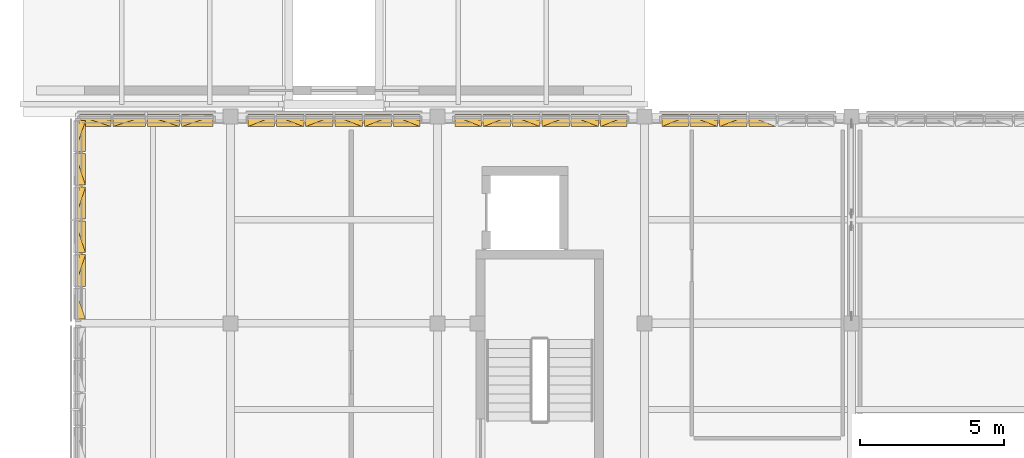
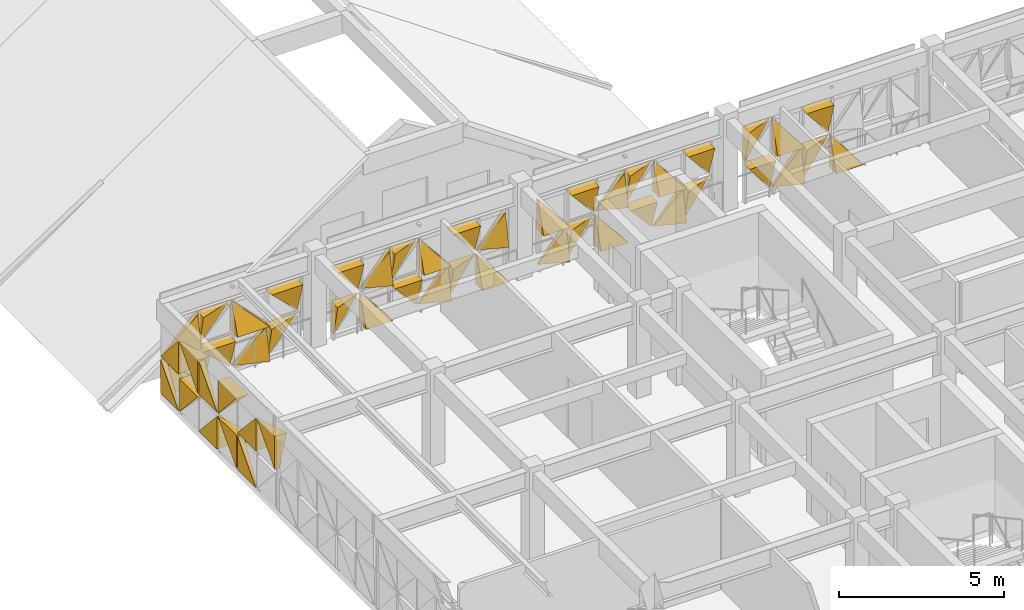
# One storey, part 45 of 48: 50 coverings.
"""IFC4 building model written with IfcOpenShell, lengths in metres."""

from ifc_helpers import new_model, si_unit, direction, frame, origin, place, context, subcontext, project, spatial, polygons, material, layer, layer_set, type_object, element, save


model = new_model("IFC4")

# Units and contexts
model_context = context("Model", 3, precision=1e-05, world=origin(), true_north=direction((0.0, 1.0)))
body_context = subcontext(model_context, "Body", "Model", "MODEL_VIEW")
ifc_project = project(units=[si_unit("LENGTHUNIT", "METRE"), si_unit("AREAUNIT", "SQUARE_METRE"), si_unit("VOLUMEUNIT", "CUBIC_METRE"), si_unit("PLANEANGLEUNIT", "RADIAN"), si_unit("MASSUNIT", "GRAM", prefix="KILO")], contexts=[model_context])

# Site, building, storey
site_placement = place(None, origin())
site = spatial("IfcSite", under=ifc_project, at=site_placement, CompositionType="ELEMENT")
building_placement = place(site_placement, origin())
building = spatial("IfcBuilding", under=site, at=building_placement, Name="Alvorim Cloister Faculty of Sciences", CompositionType="ELEMENT")
storey_placement = place(building_placement, frame((0.0, 0.0, 19.35009765625)))
storey = spatial("IfcBuildingStorey", under=building, at=storey_placement, Name="L05", CompositionType="ELEMENT", Elevation=19.35009765625)

# Coverings
ifc_material = material(Name="Perforated Bronze Alloy Sheet", Category="metal")
ifc_layer = layer(ifc_material, 0.0380859375)
ifc_layer_set = layer_set([ifc_layer], Name="Perforated Bronze Alloy Sheet")
covering_type = type_object("IfcCoveringType", Name="COV-TRI-BRZ", PredefinedType="CLADDING", material=ifc_layer_set)
covering_1_placement = place(storey_placement, frame((1.7548828125, 49.344970703125, 1.498291015625), z_axis=(0.0, 0.0, 1.0), x_axis=(0.0, 1.0, 0.0)))
element("IfcCovering", 1, at=covering_1_placement, inside=storey, type_object=covering_type, Name="Diagonal Solid Metal Triangle TRI-TL", PredefinedType="CLADDING", context=body_context, shape_type="Tessellation", body=[
    polygons([(1.073927734375, 0.0260009765625, 1.218505859375), (0.0, 0.0260009765625, 1.218505859375), (0.0, 0.0260009765625, 0.002), (1.073927734375, -0.03, 1.218505859375), (0.0, -0.4, 1.218505859375), (0.0, -0.13999999999999999, 0.002)], [[[1, 3, 2]], [[4, 5, 6]], [[1, 2, 5, 4]], [[2, 3, 6, 5]], [[3, 1, 4, 6]]], closed=True),
])
covering_2_placement = place(storey_placement, frame((1.7548828125, 50.48583984375, 0.139892578125), z_axis=(0.0, 0.0, 1.0), x_axis=(0.0, 1.0, 0.0)))
element("IfcCovering", 2, at=covering_2_placement, inside=storey, type_object=covering_type, Name="Diagonal Solid Metal Triangle TRI-BR", PredefinedType="CLADDING", context=body_context, shape_type="Tessellation", body=[
    polygons([(0.002, 0.0260009765625, 0.0), (1.1083984375, 0.0260009765625, 0.0), (1.1083984375, 0.0260009765625, 1.216505859375), (0.002, -0.03, 0.0), (1.1083984375, -0.4, 0.0), (1.1083984375, -0.18000000000000002, 1.216505859375)], [[[1, 3, 2]], [[4, 5, 6]], [[1, 2, 5, 4]], [[2, 3, 6, 5]], [[3, 1, 4, 6]]], closed=True),
])
covering_3_placement = place(storey_placement, frame((1.7548828125, 50.48583984375, 1.498291015625), z_axis=(0.0, 0.0, 1.0), x_axis=(0.0, 1.0, 0.0)))
element("IfcCovering", 3, at=covering_3_placement, inside=storey, type_object=covering_type, Name="Diagonal Solid Metal Triangle TRI-BL", PredefinedType="CLADDING", context=body_context, shape_type="Tessellation", body=[
    polygons([(0.0, 0.0260009765625, 0.0), (1.1063984375, 0.0260009765625, 0.0), (0.0, 0.0260009765625, 1.216505859375), (0.0, -0.4, 0.0), (1.1063984375, -0.4, 0.0), (0.0, -0.03, 1.216505859375)], [[[1, 3, 2]], [[4, 5, 6]], [[1, 2, 5, 4]], [[2, 3, 6, 5]], [[3, 1, 4, 6]]], closed=True),
])
covering_4_placement = place(storey_placement, frame((1.7548828125, 51.6591796875, 0.139892578125), z_axis=(0.0, 0.0, 1.0), x_axis=(0.0, 1.0, 0.0)))
element("IfcCovering", 4, at=covering_4_placement, inside=storey, type_object=covering_type, Name="Diagonal Solid Metal Triangle TRI-TL", PredefinedType="CLADDING", context=body_context, shape_type="Tessellation", body=[
    polygons([(1.1063984375, 0.0260009765625, 1.218505859375), (0.0, 0.0260009765625, 1.218505859375), (0.0, 0.0260009765625, 0.002), (1.1063984375, -0.03, 1.218505859375), (0.0, -0.4, 1.218505859375), (0.0, -0.13999999999999999, 0.002)], [[[1, 3, 2]], [[4, 5, 6]], [[1, 2, 5, 4]], [[2, 3, 6, 5]], [[3, 1, 4, 6]]], closed=True),
])
covering_5_placement = place(storey_placement, frame((1.7548828125, 51.6591796875, 1.498291015625), z_axis=(0.0, 0.0, 1.0), x_axis=(0.0, 1.0, 0.0)))
element("IfcCovering", 5, at=covering_5_placement, inside=storey, type_object=covering_type, Name="Diagonal Solid Metal Triangle TRI-TR", PredefinedType="CLADDING", context=body_context, shape_type="Tessellation", body=[
    polygons([(1.1083984375, 0.0260009765625, 0.002), (1.1083984375, 0.0260009765625, 1.218505859375), (0.002, 0.0260009765625, 1.218505859375), (1.1083984375, -0.03, 0.002), (1.1083984375, -0.4, 1.218505859375), (0.002, -0.4, 1.218505859375)], [[[1, 3, 2]], [[4, 5, 6]], [[1, 2, 5, 4]], [[2, 3, 6, 5]], [[3, 1, 4, 6]]], closed=True),
])
covering_6_placement = place(storey_placement, frame((1.7548828125, 52.83251953125, 0.139892578125), z_axis=(0.0, 0.0, 1.0), x_axis=(0.0, 1.0, 0.0)))
element("IfcCovering", 6, at=covering_6_placement, inside=storey, type_object=covering_type, Name="Diagonal Solid Metal Triangle TRI-BL", PredefinedType="CLADDING", context=body_context, shape_type="Tessellation", body=[
    polygons([(0.0, 0.0260009765625, 0.0), (1.1063984375, 0.0260009765625, 0.0), (0.0, 0.0260009765625, 1.216505859375), (0.0, -0.4, 0.0), (1.1063984375, -0.4, 0.0), (0.0, -0.03, 1.216505859375)], [[[1, 3, 2]], [[4, 5, 6]], [[1, 2, 5, 4]], [[2, 3, 6, 5]], [[3, 1, 4, 6]]], closed=True),
])
covering_7_placement = place(storey_placement, frame((1.7548828125, 52.83251953125, 1.498291015625), z_axis=(0.0, 0.0, 1.0), x_axis=(0.0, 1.0, 0.0)))
element("IfcCovering", 7, at=covering_7_placement, inside=storey, type_object=covering_type, Name="Diagonal Solid Metal Triangle TRI-BR", PredefinedType="CLADDING", context=body_context, shape_type="Tessellation", body=[
    polygons([(0.002, 0.0260009765625, 0.0), (1.1083984375, 0.0260009765625, 0.0), (1.1083984375, 0.0260009765625, 1.216505859375), (0.002, -0.03, 0.0), (1.1083984375, -0.4, 0.0), (1.1083984375, -0.18000000000000002, 1.216505859375)], [[[1, 3, 2]], [[4, 5, 6]], [[1, 2, 5, 4]], [[2, 3, 6, 5]], [[3, 1, 4, 6]]], closed=True),
])
covering_8_placement = place(storey_placement, frame((1.7548828125, 54.005859375, 0.139892578125), z_axis=(0.0, 0.0, 1.0), x_axis=(0.0, 1.0, 0.0)))
element("IfcCovering", 8, at=covering_8_placement, inside=storey, type_object=covering_type, Name="Diagonal Solid Metal Triangle TRI-TR", PredefinedType="CLADDING", context=body_context, shape_type="Tessellation", body=[
    polygons([(1.1083984375, 0.0260009765625, 0.002), (1.1083984375, 0.0260009765625, 1.218505859375), (0.002, 0.0260009765625, 1.218505859375), (1.1083984375, -0.03, 0.002), (1.1083984375, -0.4, 1.218505859375), (0.002, -0.4, 1.218505859375)], [[[1, 3, 2]], [[4, 5, 6]], [[1, 2, 5, 4]], [[2, 3, 6, 5]], [[3, 1, 4, 6]]], closed=True),
])
covering_9_placement = place(storey_placement, frame((1.7548828125, 54.005859375, 1.498291015625), z_axis=(0.0, 0.0, 1.0), x_axis=(0.0, 1.0, 0.0)))
element("IfcCovering", 9, at=covering_9_placement, inside=storey, type_object=covering_type, Name="Diagonal Solid Metal Triangle TRI-TL", PredefinedType="CLADDING", context=body_context, shape_type="Tessellation", body=[
    polygons([(1.1063984375, 0.0260009765625, 1.218505859375), (0.0, 0.0260009765625, 1.218505859375), (0.0, 0.0260009765625, 0.002), (1.1063984375, -0.03, 1.218505859375), (0.0, -0.4, 1.218505859375), (0.0, -0.13999999999999999, 0.002)], [[[1, 3, 2]], [[4, 5, 6]], [[1, 2, 5, 4]], [[2, 3, 6, 5]], [[3, 1, 4, 6]]], closed=True),
])
covering_10_placement = place(storey_placement, frame((1.7548828125, 55.17919921875, 0.139892578125), z_axis=(0.0, 0.0, 1.0), x_axis=(0.0, 1.0, 0.0)))
element("IfcCovering", 10, at=covering_10_placement, inside=storey, type_object=covering_type, Name="Diagonal Solid Metal Triangle TRI-BR", PredefinedType="CLADDING", context=body_context, shape_type="Tessellation", body=[
    polygons([(0.002, 0.0260009765625, 0.0), (1.075927734375, 0.0260009765625, 0.0), (1.075927734375, 0.0260009765625, 1.216505859375), (0.002, -0.03, 0.0), (1.075927734375, -0.4, 0.0), (1.075927734375, -0.18000000000000002, 1.216505859375)], [[[1, 3, 2]], [[4, 5, 6]], [[1, 2, 5, 4]], [[2, 3, 6, 5]], [[3, 1, 4, 6]]], closed=True),
])
covering_11_placement = place(storey_placement, frame((1.7548828125, 55.17919921875, 1.498291015625), z_axis=(0.0, 0.0, 1.0), x_axis=(0.0, 1.0, 0.0)))
element("IfcCovering", 11, at=covering_11_placement, inside=storey, type_object=covering_type, Name="Diagonal Solid Metal Triangle TRI-BL", PredefinedType="CLADDING", context=body_context, shape_type="Tessellation", body=[
    polygons([(0.0, 0.0260009765625, 0.0), (1.073927734375, 0.0260009765625, 0.0), (0.0, 0.0260009765625, 1.216505859375), (0.0, -0.4, 0.0), (1.073927734375, -0.4, 0.0), (0.0, -0.03, 1.216505859375)], [[[1, 3, 2]], [[4, 5, 6]], [[1, 2, 5, 4]], [[2, 3, 6, 5]], [[3, 1, 4, 6]]], closed=True),
])
covering_12_placement = place(storey_placement, frame((1.945068359375, 56.445068359375, 0.139892578125), z_axis=(0.0, 0.0, 1.0), x_axis=(1.0, 0.0, 0.0)))
element("IfcCovering", 12, at=covering_12_placement, inside=storey, type_object=covering_type, Name="Diagonal Solid Metal Triangle TRI-BL", PredefinedType="CLADDING", context=body_context, shape_type="Tessellation", body=[
    polygons([(0.0, 0.0260009765625, 0.0), (1.095412109375, 0.0260009765625, 0.0), (0.0, 0.0260009765625, 1.14106640625), (0.0, -0.4, 0.0), (1.095412109375, -0.4, 0.0), (0.0, -0.03, 1.14106640625)], [[[1, 3, 2]], [[4, 5, 6]], [[1, 2, 5, 4]], [[2, 3, 6, 5]], [[3, 1, 4, 6]]], closed=True),
])
covering_13_placement = place(storey_placement, frame((1.945068359375, 56.445068359375, 1.4228515625), z_axis=(0.0, 0.0, 1.0), x_axis=(1.0, 0.0, 0.0)))
element("IfcCovering", 13, at=covering_13_placement, inside=storey, type_object=covering_type, Name="Diagonal Solid Metal Triangle TRI-BR", PredefinedType="CLADDING", context=body_context, shape_type="Tessellation", body=[
    polygons([(0.002, 0.0260009765625, 0.0), (1.097412109375, 0.0260009765625, 0.0), (1.097412109375, 0.0260009765625, 1.14106640625), (0.002, -0.03, 0.0), (1.097412109375, -0.4, 0.0), (1.097412109375, -0.18000000000000002, 1.14106640625)], [[[1, 3, 2]], [[4, 5, 6]], [[1, 2, 5, 4]], [[2, 3, 6, 5]], [[3, 1, 4, 6]]], closed=True),
])
covering_14_placement = place(storey_placement, frame((3.107421875, 56.445068359375, 0.139892578125), z_axis=(0.0, 0.0, 1.0), x_axis=(1.0, 0.0, 0.0)))
element("IfcCovering", 14, at=covering_14_placement, inside=storey, type_object=covering_type, Name="Diagonal Solid Metal Triangle TRI-TR", PredefinedType="CLADDING", context=body_context, shape_type="Tessellation", body=[
    polygons([(1.1298828125, 0.0260009765625, 0.002), (1.1298828125, 0.0260009765625, 1.14306640625), (0.002, 0.0260009765625, 1.14306640625), (1.1298828125, -0.03, 0.002), (1.1298828125, -0.4, 1.14306640625), (0.002, -0.4, 1.14306640625)], [[[1, 3, 2]], [[4, 5, 6]], [[1, 2, 5, 4]], [[2, 3, 6, 5]], [[3, 1, 4, 6]]], closed=True),
])
covering_15_placement = place(storey_placement, frame((3.107421875, 56.445068359375, 1.4228515625), z_axis=(0.0, 0.0, 1.0), x_axis=(1.0, 0.0, 0.0)))
element("IfcCovering", 15, at=covering_15_placement, inside=storey, type_object=covering_type, Name="Diagonal Solid Metal Triangle TRI-TL", PredefinedType="CLADDING", context=body_context, shape_type="Tessellation", body=[
    polygons([(1.1278828125, 0.0260009765625, 1.14306640625), (0.0, 0.0260009765625, 1.14306640625), (0.0, 0.0260009765625, 0.002), (1.1278828125, -0.03, 1.14306640625), (0.0, -0.4, 1.14306640625), (0.0, -0.13999999999999999, 0.002)], [[[1, 3, 2]], [[4, 5, 6]], [[1, 2, 5, 4]], [[2, 3, 6, 5]], [[3, 1, 4, 6]]], closed=True),
])
covering_16_placement = place(storey_placement, frame((4.302490234375, 56.445068359375, 0.139892578125), z_axis=(0.0, 0.0, 1.0), x_axis=(1.0, 0.0, 0.0)))
element("IfcCovering", 16, at=covering_16_placement, inside=storey, type_object=covering_type, Name="Diagonal Solid Metal Triangle TRI-BR", PredefinedType="CLADDING", context=body_context, shape_type="Tessellation", body=[
    polygons([(0.002, 0.0260009765625, 0.0), (1.1298828125, 0.0260009765625, 0.0), (1.1298828125, 0.0260009765625, 1.14106640625), (0.002, -0.03, 0.0), (1.1298828125, -0.4, 0.0), (1.1298828125, -0.18000000000000002, 1.14106640625)], [[[1, 3, 2]], [[4, 5, 6]], [[1, 2, 5, 4]], [[2, 3, 6, 5]], [[3, 1, 4, 6]]], closed=True),
])
covering_17_placement = place(storey_placement, frame((4.302490234375, 56.445068359375, 1.4228515625), z_axis=(0.0, 0.0, 1.0), x_axis=(1.0, 0.0, 0.0)))
element("IfcCovering", 17, at=covering_17_placement, inside=storey, type_object=covering_type, Name="Diagonal Solid Metal Triangle TRI-BL", PredefinedType="CLADDING", context=body_context, shape_type="Tessellation", body=[
    polygons([(0.0, 0.0260009765625, 0.0), (1.1278828125, 0.0260009765625, 0.0), (0.0, 0.0260009765625, 1.14106640625), (0.0, -0.4, 0.0), (1.1278828125, -0.4, 0.0), (0.0, -0.03, 1.14106640625)], [[[1, 3, 2]], [[4, 5, 6]], [[1, 2, 5, 4]], [[2, 3, 6, 5]], [[3, 1, 4, 6]]], closed=True),
])
covering_18_placement = place(storey_placement, frame((5.49755859375, 56.445068359375, 0.139892578125), z_axis=(0.0, 0.0, 1.0), x_axis=(1.0, 0.0, 0.0)))
element("IfcCovering", 18, at=covering_18_placement, inside=storey, type_object=covering_type, Name="Diagonal Solid Metal Triangle TRI-TL", PredefinedType="CLADDING", context=body_context, shape_type="Tessellation", body=[
    polygons([(1.095412109375, 0.0260009765625, 1.14306640625), (0.0, 0.0260009765625, 1.14306640625), (0.0, 0.0260009765625, 0.002), (1.095412109375, -0.03, 1.14306640625), (0.0, -0.4, 1.14306640625), (0.0, -0.13999999999999999, 0.002)], [[[1, 3, 2]], [[4, 5, 6]], [[1, 2, 5, 4]], [[2, 3, 6, 5]], [[3, 1, 4, 6]]], closed=True),
])
covering_19_placement = place(storey_placement, frame((5.49755859375, 56.445068359375, 1.4228515625), z_axis=(0.0, 0.0, 1.0), x_axis=(1.0, 0.0, 0.0)))
element("IfcCovering", 19, at=covering_19_placement, inside=storey, type_object=covering_type, Name="Diagonal Solid Metal Triangle TRI-TR", PredefinedType="CLADDING", context=body_context, shape_type="Tessellation", body=[
    polygons([(1.097412109375, 0.0260009765625, 0.002), (1.097412109375, 0.0260009765625, 1.14306640625), (0.002, 0.0260009765625, 1.14306640625), (1.097412109375, -0.03, 0.002), (1.097412109375, -0.4, 1.14306640625), (0.002, -0.4, 1.14306640625)], [[[1, 3, 2]], [[4, 5, 6]], [[1, 2, 5, 4]], [[2, 3, 6, 5]], [[3, 1, 4, 6]]], closed=True),
])
covering_20_placement = place(storey_placement, frame((7.804931640625, 56.445068359375, 0.139892578125), z_axis=(0.0, 0.0, 1.0), x_axis=(1.0, 0.0, 0.0)))
element("IfcCovering", 20, at=covering_20_placement, inside=storey, type_object=covering_type, Name="Diagonal Solid Metal Triangle TRI-TL", PredefinedType="CLADDING", context=body_context, shape_type="Tessellation", body=[
    polygons([(0.920607421875, 0.0260009765625, 1.14306640625), (0.0, 0.0260009765625, 1.14306640625), (0.0, 0.0260009765625, 0.002), (0.920607421875, -0.03, 1.14306640625), (0.0, -0.4, 1.14306640625), (0.0, -0.13999999999999999, 0.002)], [[[1, 3, 2]], [[4, 5, 6]], [[1, 2, 5, 4]], [[2, 3, 6, 5]], [[3, 1, 4, 6]]], closed=True),
])
covering_21_placement = place(storey_placement, frame((7.804931640625, 56.445068359375, 1.4228515625), z_axis=(0.0, 0.0, 1.0), x_axis=(1.0, 0.0, 0.0)))
element("IfcCovering", 21, at=covering_21_placement, inside=storey, type_object=covering_type, Name="Diagonal Solid Metal Triangle TRI-TR", PredefinedType="CLADDING", context=body_context, shape_type="Tessellation", body=[
    polygons([(0.922607421875, 0.0260009765625, 0.002), (0.922607421875, 0.0260009765625, 1.14306640625), (0.002, 0.0260009765625, 1.14306640625), (0.922607421875, -0.03, 0.002), (0.922607421875, -0.4, 1.14306640625), (0.002, -0.4, 1.14306640625)], [[[1, 3, 2]], [[4, 5, 6]], [[1, 2, 5, 4]], [[2, 3, 6, 5]], [[3, 1, 4, 6]]], closed=True),
])
covering_22_placement = place(storey_placement, frame((8.79248046875, 56.445068359375, 0.139892578125), z_axis=(0.0, 0.0, 1.0), x_axis=(1.0, 0.0, 0.0)))
element("IfcCovering", 22, at=covering_22_placement, inside=storey, type_object=covering_type, Name="Diagonal Solid Metal Triangle TRI-BL", PredefinedType="CLADDING", context=body_context, shape_type="Tessellation", body=[
    polygons([(0.0, 0.0260009765625, 0.0), (0.953078125, 0.0260009765625, 0.0), (0.0, 0.0260009765625, 1.14106640625), (0.0, -0.4, 0.0), (0.953078125, -0.4, 0.0), (0.0, -0.03, 1.14106640625)], [[[1, 3, 2]], [[4, 5, 6]], [[1, 2, 5, 4]], [[2, 3, 6, 5]], [[3, 1, 4, 6]]], closed=True),
])
covering_23_placement = place(storey_placement, frame((8.79248046875, 56.445068359375, 1.4228515625), z_axis=(0.0, 0.0, 1.0), x_axis=(1.0, 0.0, 0.0)))
element("IfcCovering", 23, at=covering_23_placement, inside=storey, type_object=covering_type, Name="Diagonal Solid Metal Triangle TRI-BR", PredefinedType="CLADDING", context=body_context, shape_type="Tessellation", body=[
    polygons([(0.002, 0.0260009765625, 0.0), (0.955078125, 0.0260009765625, 0.0), (0.955078125, 0.0260009765625, 1.14106640625), (0.002, -0.03, 0.0), (0.955078125, -0.4, 0.0), (0.955078125, -0.18000000000000002, 1.14106640625)], [[[1, 3, 2]], [[4, 5, 6]], [[1, 2, 5, 4]], [[2, 3, 6, 5]], [[3, 1, 4, 6]]], closed=True),
])
covering_24_placement = place(storey_placement, frame((9.8125, 56.445068359375, 0.139892578125), z_axis=(0.0, 0.0, 1.0), x_axis=(1.0, 0.0, 0.0)))
element("IfcCovering", 24, at=covering_24_placement, inside=storey, type_object=covering_type, Name="Diagonal Solid Metal Triangle TRI-TR", PredefinedType="CLADDING", context=body_context, shape_type="Tessellation", body=[
    polygons([(0.955078125, 0.0260009765625, 0.002), (0.955078125, 0.0260009765625, 1.14306640625), (0.002, 0.0260009765625, 1.14306640625), (0.955078125, -0.03, 0.002), (0.955078125, -0.4, 1.14306640625), (0.002, -0.4, 1.14306640625)], [[[1, 3, 2]], [[4, 5, 6]], [[1, 2, 5, 4]], [[2, 3, 6, 5]], [[3, 1, 4, 6]]], closed=True),
])
covering_25_placement = place(storey_placement, frame((9.8125, 56.445068359375, 1.4228515625), z_axis=(0.0, 0.0, 1.0), x_axis=(1.0, 0.0, 0.0)))
element("IfcCovering", 25, at=covering_25_placement, inside=storey, type_object=covering_type, Name="Diagonal Solid Metal Triangle TRI-TL", PredefinedType="CLADDING", context=body_context, shape_type="Tessellation", body=[
    polygons([(0.953078125, 0.0260009765625, 1.14306640625), (0.0, 0.0260009765625, 1.14306640625), (0.0, 0.0260009765625, 0.002), (0.953078125, -0.03, 1.14306640625), (0.0, -0.4, 1.14306640625), (0.0, -0.13999999999999999, 0.002)], [[[1, 3, 2]], [[4, 5, 6]], [[1, 2, 5, 4]], [[2, 3, 6, 5]], [[3, 1, 4, 6]]], closed=True),
])
covering_26_placement = place(storey_placement, frame((10.83251953125, 56.445068359375, 0.139892578125), z_axis=(0.0, 0.0, 1.0), x_axis=(1.0, 0.0, 0.0)))
element("IfcCovering", 26, at=covering_26_placement, inside=storey, type_object=covering_type, Name="Diagonal Solid Metal Triangle TRI-BR", PredefinedType="CLADDING", context=body_context, shape_type="Tessellation", body=[
    polygons([(0.002, 0.0260009765625, 0.0), (0.955078125, 0.0260009765625, 0.0), (0.955078125, 0.0260009765625, 1.14106640625), (0.002, -0.03, 0.0), (0.955078125, -0.4, 0.0), (0.955078125, -0.18000000000000002, 1.14106640625)], [[[1, 3, 2]], [[4, 5, 6]], [[1, 2, 5, 4]], [[2, 3, 6, 5]], [[3, 1, 4, 6]]], closed=True),
])
covering_27_placement = place(storey_placement, frame((10.83251953125, 56.445068359375, 1.4228515625), z_axis=(0.0, 0.0, 1.0), x_axis=(1.0, 0.0, 0.0)))
element("IfcCovering", 27, at=covering_27_placement, inside=storey, type_object=covering_type, Name="Diagonal Solid Metal Triangle TRI-BL", PredefinedType="CLADDING", context=body_context, shape_type="Tessellation", body=[
    polygons([(0.0, 0.0260009765625, 0.0), (0.953078125, 0.0260009765625, 0.0), (0.0, 0.0260009765625, 1.14106640625), (0.0, -0.4, 0.0), (0.953078125, -0.4, 0.0), (0.0, -0.03, 1.14106640625)], [[[1, 3, 2]], [[4, 5, 6]], [[1, 2, 5, 4]], [[2, 3, 6, 5]], [[3, 1, 4, 6]]], closed=True),
])
covering_28_placement = place(storey_placement, frame((11.8525390625, 56.445068359375, 0.139892578125), z_axis=(0.0, 0.0, 1.0), x_axis=(1.0, 0.0, 0.0)))
element("IfcCovering", 28, at=covering_28_placement, inside=storey, type_object=covering_type, Name="Diagonal Solid Metal Triangle TRI-TL", PredefinedType="CLADDING", context=body_context, shape_type="Tessellation", body=[
    polygons([(0.953078125, 0.0260009765625, 1.14306640625), (0.0, 0.0260009765625, 1.14306640625), (0.0, 0.0260009765625, 0.002), (0.953078125, -0.03, 1.14306640625), (0.0, -0.4, 1.14306640625), (0.0, -0.13999999999999999, 0.002)], [[[1, 3, 2]], [[4, 5, 6]], [[1, 2, 5, 4]], [[2, 3, 6, 5]], [[3, 1, 4, 6]]], closed=True),
])
covering_29_placement = place(storey_placement, frame((11.8525390625, 56.445068359375, 1.4228515625), z_axis=(0.0, 0.0, 1.0), x_axis=(1.0, 0.0, 0.0)))
element("IfcCovering", 29, at=covering_29_placement, inside=storey, type_object=covering_type, Name="Diagonal Solid Metal Triangle TRI-TR", PredefinedType="CLADDING", context=body_context, shape_type="Tessellation", body=[
    polygons([(0.955078125, 0.0260009765625, 0.002), (0.955078125, 0.0260009765625, 1.14306640625), (0.002, 0.0260009765625, 1.14306640625), (0.955078125, -0.03, 0.002), (0.955078125, -0.4, 1.14306640625), (0.002, -0.4, 1.14306640625)], [[[1, 3, 2]], [[4, 5, 6]], [[1, 2, 5, 4]], [[2, 3, 6, 5]], [[3, 1, 4, 6]]], closed=True),
])
covering_30_placement = place(storey_placement, frame((12.87255859375, 56.445068359375, 0.139892578125), z_axis=(0.0, 0.0, 1.0), x_axis=(1.0, 0.0, 0.0)))
element("IfcCovering", 30, at=covering_30_placement, inside=storey, type_object=covering_type, Name="Diagonal Solid Metal Triangle TRI-BL", PredefinedType="CLADDING", context=body_context, shape_type="Tessellation", body=[
    polygons([(0.0, 0.0260009765625, 0.0), (0.920607421875, 0.0260009765625, 0.0), (0.0, 0.0260009765625, 1.14106640625), (0.0, -0.4, 0.0), (0.920607421875, -0.4, 0.0), (0.0, -0.03, 1.14106640625)], [[[1, 3, 2]], [[4, 5, 6]], [[1, 2, 5, 4]], [[2, 3, 6, 5]], [[3, 1, 4, 6]]], closed=True),
])
for number, where, z_axis, x_axis, name in (
    (31, (12.87255859375, 56.445068359375, 1.4228515625), (0.0, 0.0, 1.0), (1.0, 0.0, 0.0), "Diagonal Solid Metal Triangle TRI-BR"),
    (32, (15.0048828125, 56.445068359375, 0.139892578125), (0.0, 0.0, 1.0), (1.0, 0.0, 0.0), "Diagonal Solid Metal Triangle TRI-BR"),
):
    element("IfcCovering", number, at=place(storey_placement, frame(where, z_axis=z_axis, x_axis=x_axis)), inside=storey, type_object=covering_type, Name=name, PredefinedType="CLADDING", context=body_context, shape_type="Tessellation", body=[
        polygons([(0.002, 0.0260009765625, 0.0), (0.922607421875, 0.0260009765625, 0.0), (0.922607421875, 0.0260009765625, 1.14106640625), (0.002, -0.03, 0.0), (0.922607421875, -0.4, 0.0), (0.922607421875, -0.18000000000000002, 1.14106640625)], [[[1, 3, 2]], [[4, 5, 6]], [[1, 2, 5, 4]], [[2, 3, 6, 5]], [[3, 1, 4, 6]]], closed=True),
    ])
covering_31_placement = place(storey_placement, frame((15.0048828125, 56.445068359375, 1.4228515625), z_axis=(0.0, 0.0, 1.0), x_axis=(1.0, 0.0, 0.0)))
element("IfcCovering", 33, at=covering_31_placement, inside=storey, type_object=covering_type, Name="Diagonal Solid Metal Triangle TRI-BL", PredefinedType="CLADDING", context=body_context, shape_type="Tessellation", body=[
    polygons([(0.0, 0.0260009765625, 0.0), (0.920607421875, 0.0260009765625, 0.0), (0.0, 0.0260009765625, 1.14106640625), (0.0, -0.4, 0.0), (0.920607421875, -0.4, 0.0), (0.0, -0.03, 1.14106640625)], [[[1, 3, 2]], [[4, 5, 6]], [[1, 2, 5, 4]], [[2, 3, 6, 5]], [[3, 1, 4, 6]]], closed=True),
])
covering_32_placement = place(storey_placement, frame((15.992431640625, 56.445068359375, 0.139892578125), z_axis=(0.0, 0.0, 1.0), x_axis=(1.0, 0.0, 0.0)))
element("IfcCovering", 34, at=covering_32_placement, inside=storey, type_object=covering_type, Name="Diagonal Solid Metal Triangle TRI-TL", PredefinedType="CLADDING", context=body_context, shape_type="Tessellation", body=[
    polygons([(0.953078125, 0.0260009765625, 1.14306640625), (0.0, 0.0260009765625, 1.14306640625), (0.0, 0.0260009765625, 0.002), (0.953078125, -0.03, 1.14306640625), (0.0, -0.4, 1.14306640625), (0.0, -0.13999999999999999, 0.002)], [[[1, 3, 2]], [[4, 5, 6]], [[1, 2, 5, 4]], [[2, 3, 6, 5]], [[3, 1, 4, 6]]], closed=True),
])
covering_33_placement = place(storey_placement, frame((15.992431640625, 56.445068359375, 1.4228515625), z_axis=(0.0, 0.0, 1.0), x_axis=(1.0, 0.0, 0.0)))
element("IfcCovering", 35, at=covering_33_placement, inside=storey, type_object=covering_type, Name="Diagonal Solid Metal Triangle TRI-TR", PredefinedType="CLADDING", context=body_context, shape_type="Tessellation", body=[
    polygons([(0.955078125, 0.0260009765625, 0.002), (0.955078125, 0.0260009765625, 1.14306640625), (0.002, 0.0260009765625, 1.14306640625), (0.955078125, -0.03, 0.002), (0.955078125, -0.4, 1.14306640625), (0.002, -0.4, 1.14306640625)], [[[1, 3, 2]], [[4, 5, 6]], [[1, 2, 5, 4]], [[2, 3, 6, 5]], [[3, 1, 4, 6]]], closed=True),
])
covering_34_placement = place(storey_placement, frame((17.012451171875, 56.445068359375, 0.139892578125), z_axis=(0.0, 0.0, 1.0), x_axis=(1.0, 0.0, 0.0)))
element("IfcCovering", 36, at=covering_34_placement, inside=storey, type_object=covering_type, Name="Diagonal Solid Metal Triangle TRI-BL", PredefinedType="CLADDING", context=body_context, shape_type="Tessellation", body=[
    polygons([(0.0, 0.0260009765625, 0.0), (0.953078125, 0.0260009765625, 0.0), (0.0, 0.0260009765625, 1.14106640625), (0.0, -0.4, 0.0), (0.953078125, -0.4, 0.0), (0.0, -0.03, 1.14106640625)], [[[1, 3, 2]], [[4, 5, 6]], [[1, 2, 5, 4]], [[2, 3, 6, 5]], [[3, 1, 4, 6]]], closed=True),
])
covering_35_placement = place(storey_placement, frame((17.012451171875, 56.445068359375, 1.4228515625), z_axis=(0.0, 0.0, 1.0), x_axis=(1.0, 0.0, 0.0)))
element("IfcCovering", 37, at=covering_35_placement, inside=storey, type_object=covering_type, Name="Diagonal Solid Metal Triangle TRI-BR", PredefinedType="CLADDING", context=body_context, shape_type="Tessellation", body=[
    polygons([(0.002, 0.0260009765625, 0.0), (0.955078125, 0.0260009765625, 0.0), (0.955078125, 0.0260009765625, 1.14106640625), (0.002, -0.03, 0.0), (0.955078125, -0.4, 0.0), (0.955078125, -0.18000000000000002, 1.14106640625)], [[[1, 3, 2]], [[4, 5, 6]], [[1, 2, 5, 4]], [[2, 3, 6, 5]], [[3, 1, 4, 6]]], closed=True),
])
covering_36_placement = place(storey_placement, frame((18.032470703125, 56.445068359375, 0.139892578125), z_axis=(0.0, 0.0, 1.0), x_axis=(1.0, 0.0, 0.0)))
element("IfcCovering", 38, at=covering_36_placement, inside=storey, type_object=covering_type, Name="Diagonal Solid Metal Triangle TRI-TR", PredefinedType="CLADDING", context=body_context, shape_type="Tessellation", body=[
    polygons([(0.955078125, 0.0260009765625, 0.002), (0.955078125, 0.0260009765625, 1.14306640625), (0.002, 0.0260009765625, 1.14306640625), (0.955078125, -0.03, 0.002), (0.955078125, -0.4, 1.14306640625), (0.002, -0.4, 1.14306640625)], [[[1, 3, 2]], [[4, 5, 6]], [[1, 2, 5, 4]], [[2, 3, 6, 5]], [[3, 1, 4, 6]]], closed=True),
])
covering_37_placement = place(storey_placement, frame((18.032470703125, 56.445068359375, 1.4228515625), z_axis=(0.0, 0.0, 1.0), x_axis=(1.0, 0.0, 0.0)))
element("IfcCovering", 39, at=covering_37_placement, inside=storey, type_object=covering_type, Name="Diagonal Solid Metal Triangle TRI-TL", PredefinedType="CLADDING", context=body_context, shape_type="Tessellation", body=[
    polygons([(0.953078125, 0.0260009765625, 1.14306640625), (0.0, 0.0260009765625, 1.14306640625), (0.0, 0.0260009765625, 0.002), (0.953078125, -0.03, 1.14306640625), (0.0, -0.4, 1.14306640625), (0.0, -0.13999999999999999, 0.002)], [[[1, 3, 2]], [[4, 5, 6]], [[1, 2, 5, 4]], [[2, 3, 6, 5]], [[3, 1, 4, 6]]], closed=True),
])
covering_38_placement = place(storey_placement, frame((19.052490234375, 56.445068359375, 0.139892578125), z_axis=(0.0, 0.0, 1.0), x_axis=(1.0, 0.0, 0.0)))
element("IfcCovering", 40, at=covering_38_placement, inside=storey, type_object=covering_type, Name="Diagonal Solid Metal Triangle TRI-BR", PredefinedType="CLADDING", context=body_context, shape_type="Tessellation", body=[
    polygons([(0.002, 0.0260009765625, 0.0), (0.955078125, 0.0260009765625, 0.0), (0.955078125, 0.0260009765625, 1.14106640625), (0.002, -0.03, 0.0), (0.955078125, -0.4, 0.0), (0.955078125, -0.18000000000000002, 1.14106640625)], [[[1, 3, 2]], [[4, 5, 6]], [[1, 2, 5, 4]], [[2, 3, 6, 5]], [[3, 1, 4, 6]]], closed=True),
])
covering_39_placement = place(storey_placement, frame((19.052490234375, 56.445068359375, 1.4228515625), z_axis=(0.0, 0.0, 1.0), x_axis=(1.0, 0.0, 0.0)))
element("IfcCovering", 41, at=covering_39_placement, inside=storey, type_object=covering_type, Name="Diagonal Solid Metal Triangle TRI-BL", PredefinedType="CLADDING", context=body_context, shape_type="Tessellation", body=[
    polygons([(0.0, 0.0260009765625, 0.0), (0.953078125, 0.0260009765625, 0.0), (0.0, 0.0260009765625, 1.14106640625), (0.0, -0.4, 0.0), (0.953078125, -0.4, 0.0), (0.0, -0.03, 1.14106640625)], [[[1, 3, 2]], [[4, 5, 6]], [[1, 2, 5, 4]], [[2, 3, 6, 5]], [[3, 1, 4, 6]]], closed=True),
])
covering_40_placement = place(storey_placement, frame((20.072509765625, 56.445068359375, 0.139892578125), z_axis=(0.0, 0.0, 1.0), x_axis=(1.0, 0.0, 0.0)))
element("IfcCovering", 42, at=covering_40_placement, inside=storey, type_object=covering_type, Name="Diagonal Solid Metal Triangle TRI-TL", PredefinedType="CLADDING", context=body_context, shape_type="Tessellation", body=[
    polygons([(0.920607421875, 0.0260009765625, 1.14306640625), (0.0, 0.0260009765625, 1.14306640625), (0.0, 0.0260009765625, 0.002), (0.920607421875, -0.03, 1.14306640625), (0.0, -0.4, 1.14306640625), (0.0, -0.13999999999999999, 0.002)], [[[1, 3, 2]], [[4, 5, 6]], [[1, 2, 5, 4]], [[2, 3, 6, 5]], [[3, 1, 4, 6]]], closed=True),
])
covering_41_placement = place(storey_placement, frame((20.072509765625, 56.445068359375, 1.4228515625), z_axis=(0.0, 0.0, 1.0), x_axis=(1.0, 0.0, 0.0)))
element("IfcCovering", 43, at=covering_41_placement, inside=storey, type_object=covering_type, Name="Diagonal Solid Metal Triangle TRI-TR", PredefinedType="CLADDING", context=body_context, shape_type="Tessellation", body=[
    polygons([(0.922607421875, 0.0260009765625, 0.002), (0.922607421875, 0.0260009765625, 1.14306640625), (0.002, 0.0260009765625, 1.14306640625), (0.922607421875, -0.03, 0.002), (0.922607421875, -0.4, 1.14306640625), (0.002, -0.4, 1.14306640625)], [[[1, 3, 2]], [[4, 5, 6]], [[1, 2, 5, 4]], [[2, 3, 6, 5]], [[3, 1, 4, 6]]], closed=True),
])
covering_42_placement = place(storey_placement, frame((22.205078125, 56.445068359375, 0.139892578125), z_axis=(0.0, 0.0, 1.0), x_axis=(1.0, 0.0, 0.0)))
element("IfcCovering", 44, at=covering_42_placement, inside=storey, type_object=covering_type, Name="Diagonal Solid Metal Triangle TRI-TR", PredefinedType="CLADDING", context=body_context, shape_type="Tessellation", body=[
    polygons([(0.922607421875, 0.0260009765625, 0.002), (0.922607421875, 0.0260009765625, 1.215087890625), (0.002, 0.0260009765625, 1.215087890625), (0.922607421875, -0.03, 0.002), (0.922607421875, -0.4, 1.215087890625), (0.002, -0.4, 1.215087890625)], [[[1, 3, 2]], [[4, 5, 6]], [[1, 2, 5, 4]], [[2, 3, 6, 5]], [[3, 1, 4, 6]]], closed=True),
])
covering_43_placement = place(storey_placement, frame((22.205078125, 56.445068359375, 1.494873046875), z_axis=(0.0, 0.0, 1.0), x_axis=(1.0, 0.0, 0.0)))
element("IfcCovering", 45, at=covering_43_placement, inside=storey, type_object=covering_type, Name="Diagonal Solid Metal Triangle TRI-TL", PredefinedType="CLADDING", context=body_context, shape_type="Tessellation", body=[
    polygons([(0.920607421875, 0.0260009765625, 1.215087890625), (0.0, 0.0260009765625, 1.215087890625), (0.0, 0.0260009765625, 0.002), (0.920607421875, -0.03, 1.215087890625), (0.0, -0.4, 1.215087890625), (0.0, -0.13999999999999999, 0.002)], [[[1, 3, 2]], [[4, 5, 6]], [[1, 2, 5, 4]], [[2, 3, 6, 5]], [[3, 1, 4, 6]]], closed=True),
])
covering_44_placement = place(storey_placement, frame((23.1923828125, 56.445068359375, 0.139892578125), z_axis=(0.0, 0.0, 1.0), x_axis=(1.0, 0.0, 0.0)))
element("IfcCovering", 46, at=covering_44_placement, inside=storey, type_object=covering_type, Name="Diagonal Solid Metal Triangle TRI-BR", PredefinedType="CLADDING", context=body_context, shape_type="Tessellation", body=[
    polygons([(0.002, 0.0260009765625, 0.0), (0.955078125, 0.0260009765625, 0.0), (0.955078125, 0.0260009765625, 1.213087890625), (0.002, -0.03, 0.0), (0.955078125, -0.4, 0.0), (0.955078125, -0.18000000000000002, 1.213087890625)], [[[1, 3, 2]], [[4, 5, 6]], [[1, 2, 5, 4]], [[2, 3, 6, 5]], [[3, 1, 4, 6]]], closed=True),
])
covering_45_placement = place(storey_placement, frame((23.1923828125, 56.445068359375, 1.494873046875), z_axis=(0.0, 0.0, 1.0), x_axis=(1.0, 0.0, 0.0)))
element("IfcCovering", 47, at=covering_45_placement, inside=storey, type_object=covering_type, Name="Diagonal Solid Metal Triangle TRI-BL", PredefinedType="CLADDING", context=body_context, shape_type="Tessellation", body=[
    polygons([(0.0, 0.0260009765625, 0.0), (0.953078125, 0.0260009765625, 0.0), (0.0, 0.0260009765625, 1.213087890625), (0.0, -0.4, 0.0), (0.953078125, -0.4, 0.0), (0.0, -0.03, 1.213087890625)], [[[1, 3, 2]], [[4, 5, 6]], [[1, 2, 5, 4]], [[2, 3, 6, 5]], [[3, 1, 4, 6]]], closed=True),
])
covering_46_placement = place(storey_placement, frame((24.21240234375, 56.445068359375, 0.139892578125), z_axis=(0.0, 0.0, 1.0), x_axis=(1.0, 0.0, 0.0)))
element("IfcCovering", 48, at=covering_46_placement, inside=storey, type_object=covering_type, Name="Diagonal Solid Metal Triangle TRI-TL", PredefinedType="CLADDING", context=body_context, shape_type="Tessellation", body=[
    polygons([(0.953078125, 0.0260009765625, 1.215087890625), (0.0, 0.0260009765625, 1.215087890625), (0.0, 0.0260009765625, 0.002), (0.953078125, -0.03, 1.215087890625), (0.0, -0.4, 1.215087890625), (0.0, -0.13999999999999999, 0.002)], [[[1, 3, 2]], [[4, 5, 6]], [[1, 2, 5, 4]], [[2, 3, 6, 5]], [[3, 1, 4, 6]]], closed=True),
])
covering_47_placement = place(storey_placement, frame((24.21240234375, 56.445068359375, 1.494873046875), z_axis=(0.0, 0.0, 1.0), x_axis=(1.0, 0.0, 0.0)))
element("IfcCovering", 49, at=covering_47_placement, inside=storey, type_object=covering_type, Name="Diagonal Solid Metal Triangle TRI-TR", PredefinedType="CLADDING", context=body_context, shape_type="Tessellation", body=[
    polygons([(0.955078125, 0.0260009765625, 0.002), (0.955078125, 0.0260009765625, 1.215087890625), (0.002, 0.0260009765625, 1.215087890625), (0.955078125, -0.03, 0.002), (0.955078125, -0.4, 1.215087890625), (0.002, -0.4, 1.215087890625)], [[[1, 3, 2]], [[4, 5, 6]], [[1, 2, 5, 4]], [[2, 3, 6, 5]], [[3, 1, 4, 6]]], closed=True),
])
covering_48_placement = place(storey_placement, frame((25.232421875, 56.445068359375, 0.139892578125), z_axis=(0.0, 0.0, 1.0), x_axis=(1.0, 0.0, 0.0)))
element("IfcCovering", 50, at=covering_48_placement, inside=storey, type_object=covering_type, Name="Diagonal Solid Metal Triangle TRI-BL", PredefinedType="CLADDING", context=body_context, shape_type="Tessellation", body=[
    polygons([(0.0, 0.0260009765625, 0.0), (0.953078125, 0.0260009765625, 0.0), (0.0, 0.0260009765625, 1.213087890625), (0.0, -0.4, 0.0), (0.953078125, -0.4, 0.0), (0.0, -0.03, 1.213087890625)], [[[1, 3, 2]], [[4, 5, 6]], [[1, 2, 5, 4]], [[2, 3, 6, 5]], [[3, 1, 4, 6]]], closed=True),
])

save(model, "model.ifc")
